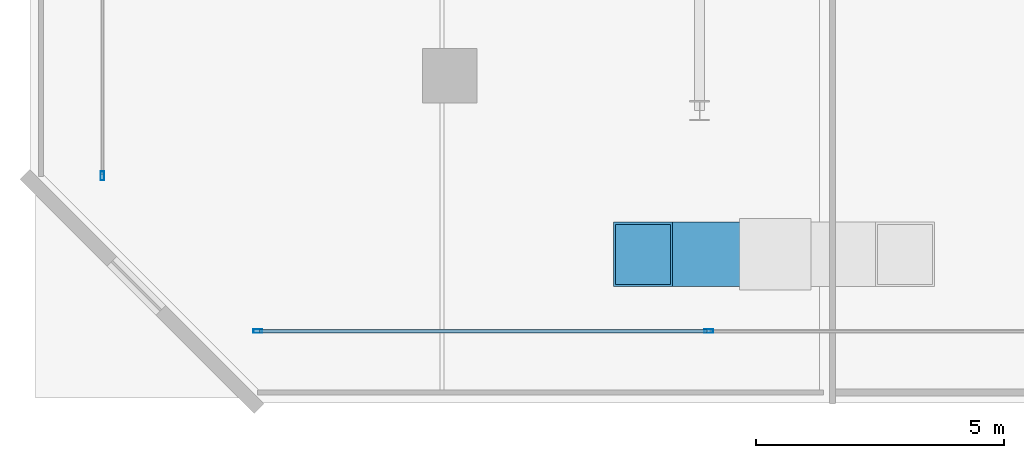
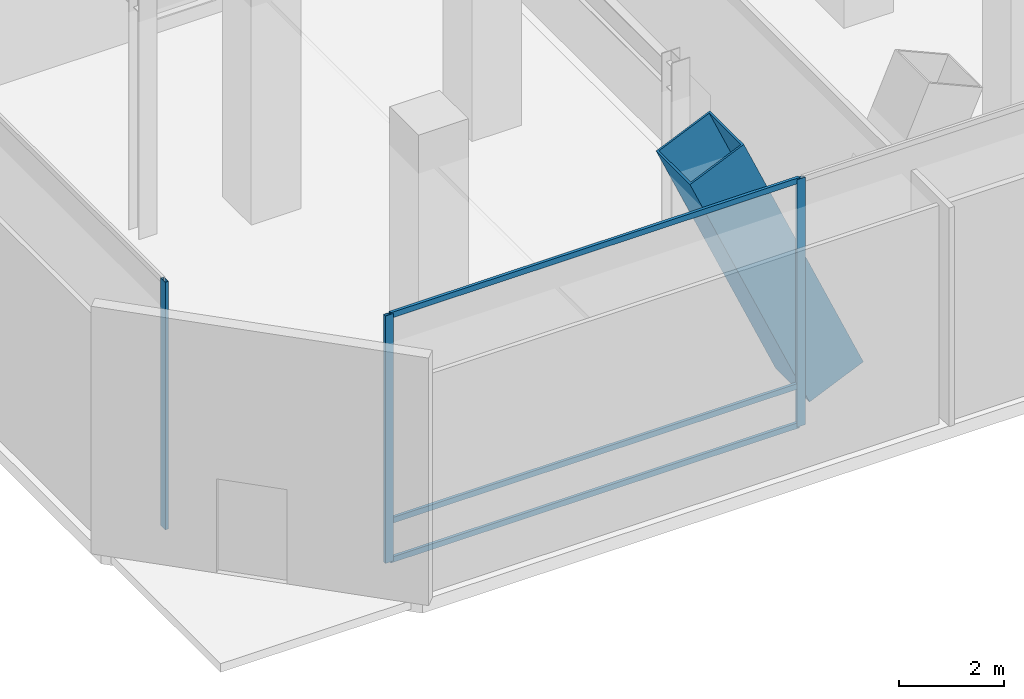
# One storey, part 5 of 40: 7 members, 2 elements without a shape of their own.
"""IFC4 building model written with IfcOpenShell, lengths in metres."""

from ifc_helpers import new_model, si_unit, direction, frame, origin, origin_2d, place, context, subcontext, project, spatial, hollow_rectangle, extrude, material, layer, layer_set, material_profile, profile_set, type_object, element, aggregate, save


model = new_model("IFC4")

# Units and contexts
model_context = context("Model", 3, precision=1e-05, world=origin(), true_north=direction((0.0, 1.0)))
body_context = subcontext(model_context, "Body", "Model", "MODEL_VIEW")
ifc_project = project(units=[si_unit("LENGTHUNIT", "METRE"), si_unit("AREAUNIT", "SQUARE_METRE"), si_unit("VOLUMEUNIT", "CUBIC_METRE"), si_unit("PLANEANGLEUNIT", "RADIAN"), si_unit("MASSUNIT", "GRAM", prefix="KILO")], contexts=[model_context])

# Site, building, storey
site_placement = place(None, origin())
site = spatial("IfcSite", under=ifc_project, at=site_placement, CompositionType="ELEMENT")
building_placement = place(site_placement, origin())
building = spatial("IfcBuilding", under=site, at=building_placement, Name="Qianvela Tower", CompositionType="ELEMENT")
storey_placement = place(building_placement, origin())
storey = spatial("IfcBuildingStorey", under=building, at=storey_placement, Name="L00", CompositionType="ELEMENT", Elevation=0.0)

# Curtain wall, members
ifc_material_1 = material(Name="Anodised Architectural Aluminium and Low-E Glass", Category="aluminium")
ifc_layer = layer(ifc_material_1, 0.199951171875)
ifc_layer_set = layer_set([ifc_layer], Name="Anodised Architectural Aluminium and Low-E Glass")
curtain_wall_type = type_object("IfcCurtainWallType", Name="CW-CONCOURSE", PredefinedType="USERDEFINED", material=ifc_layer_set)
curtain_wall_1_placement = place(storey_placement, origin())
curtain_wall_1 = element("IfcCurtainWall", 1, at=curtain_wall_1_placement, inside=storey, type_object=curtain_wall_type, Name="L00 CW-CONCOURSE Curtain Wall 01A", ObjectType="CURTAIN_WALL_SYSTEM", PredefinedType="USERDEFINED")
ifc_material_2 = material(Name="Anodised Architectural Aluminium 6063-T6", Category="aluminium")
ifc_material_profile_1 = material_profile(ifc_material_2, hollow_rectangle(XDim=0.070068359375, YDim=0.179931640625, WallThickness=0.0048828125, at=origin_2d()), Name="ALU-MULL-70x180")
ifc_profile_set_1 = profile_set([ifc_material_profile_1], Name="Anodised Architectural Aluminium 6063-T6")
member_type_1 = type_object("IfcMemberType", Name="CW-CONCOURSE-MULL", PredefinedType="MULLION", material=ifc_profile_set_1)
member_1_placement = place(storey_placement, frame((6.0849609375, 2.949951171875, 0.0), z_axis=(0.0, 0.0, 1.0), x_axis=(0.0, 1.0, 0.0)))
member_1 = element("IfcMember", 2, at=member_1_placement, type_object=member_type_1, Name="CW-1 mullion 1", PredefinedType="MULLION", context=body_context, shape_type="SweptSolid", body=[
    extrude(hollow_rectangle(XDim=0.070068359375, YDim=0.179931640625, WallThickness=0.0048828125, at=origin_2d()), origin(), (0.0, 0.0, 1.0), 5.780029296875),
])
member_2_placement = place(storey_placement, frame((15.183349609375, 2.949951171875, 0.0), z_axis=(0.0, 0.0, 1.0), x_axis=(0.0, 1.0, 0.0)))
member_2 = element("IfcMember", 3, at=member_2_placement, type_object=member_type_1, Name="CW-1 mullion 2", PredefinedType="MULLION", context=body_context, shape_type="SweptSolid", body=[
    extrude(hollow_rectangle(XDim=0.070068359375, YDim=0.179931640625, WallThickness=0.0048828125, at=origin_2d()), origin(), (0.0, 0.0, 1.0), 5.780029296875),
])

# Curtain wall, member
curtain_wall_2_placement = place(storey_placement, origin())
curtain_wall_2 = element("IfcCurtainWall", 4, at=curtain_wall_2_placement, inside=storey, type_object=curtain_wall_type, Name="L00 CW-CONCOURSE Curtain Wall 07B", ObjectType="CURTAIN_WALL_SYSTEM", PredefinedType="USERDEFINED")
member_3_placement = place(storey_placement, frame((2.949951171875, 6.0849609375, 0.0), z_axis=(0.0, 0.0, 1.0), x_axis=(1.0, 0.0, 0.0)))
member_3 = element("IfcMember", 5, at=member_3_placement, type_object=member_type_1, Name="CW-1 mullion 3", PredefinedType="MULLION", context=body_context, shape_type="SweptSolid", body=[
    extrude(hollow_rectangle(XDim=0.070068359375, YDim=0.179931640625, WallThickness=0.0048828125, at=origin_2d()), origin(), (0.0, 0.0, 1.0), 5.780029296875),
])
aggregate(curtain_wall_2, [member_3])

# Member
ifc_material_3 = material(Name="Anodised Architectural Aluminium 6063-T6", Category="aluminium")
ifc_material_profile_2 = material_profile(ifc_material_3, hollow_rectangle(XDim=0.06494140625, YDim=0.1298828125, WallThickness=0.00439453125, at=origin_2d()), Name="ALU-TRAN-65x130")
ifc_profile_set_2 = profile_set([ifc_material_profile_2], Name="Anodised Architectural Aluminium 6063-T6")
member_type_2 = type_object("IfcMemberType", Name="CW-CONCOURSE-TRAN", PredefinedType="USERDEFINED", material=ifc_profile_set_2)
member_4_placement = place(storey_placement, frame((6.1201171875, 2.949951171875, 0.032470703125), z_axis=(1.0, 0.0, 0.0), x_axis=(0.0, 1.0, 0.0)))
member_4 = element("IfcMember", 6, at=member_4_placement, type_object=member_type_2, Name="CW-1 transom 1.1", ObjectType="TRANSOM", PredefinedType="USERDEFINED", context=body_context, shape_type="SweptSolid", body=[
    extrude(hollow_rectangle(XDim=0.06494140625, YDim=0.1298828125, WallThickness=0.00439453125, at=origin_2d()), origin(), (0.0, 0.0, 1.0), 9.0283203125),
])

member_5_placement = place(storey_placement, frame((6.1201171875, 2.949951171875, 0.949951171875), z_axis=(1.0, 0.0, 0.0), x_axis=(0.0, 1.0, 0.0)))
member_5 = element("IfcMember", 7, at=member_5_placement, type_object=member_type_2, Name="CW-1 transom 1.2", ObjectType="TRANSOM", PredefinedType="USERDEFINED", context=body_context, shape_type="SweptSolid", body=[
    extrude(hollow_rectangle(XDim=0.06494140625, YDim=0.1298828125, WallThickness=0.00439453125, at=origin_2d()), origin(), (0.0, 0.0, 1.0), 9.0283203125),
])

member_6_placement = place(storey_placement, frame((6.1201171875, 2.949951171875, 5.74755859375), z_axis=(1.0, 0.0, 0.0), x_axis=(0.0, 1.0, 0.0)))
member_6 = element("IfcMember", 8, at=member_6_placement, type_object=member_type_2, Name="CW-1 transom 1.3", ObjectType="TRANSOM", PredefinedType="USERDEFINED", context=body_context, shape_type="SweptSolid", body=[
    extrude(hollow_rectangle(XDim=0.06494140625, YDim=0.1298828125, WallThickness=0.00439453125, at=origin_2d()), origin(), (0.0, 0.0, 1.0), 9.0283203125),
])

aggregate(curtain_wall_1, [member_1, member_2, member_4, member_5, member_6])

ifc_material_4 = material(Name="Steel Q420GJC", Category="steel")
ifc_material_profile_3 = material_profile(ifc_material_4, hollow_rectangle(XDim=1.300048828125, YDim=1.300048828125, WallThickness=0.044921875, at=origin_2d()), Name="VBOX-1300x1300x45")
ifc_profile_set_3 = profile_set([ifc_material_profile_3], Name="Steel Q420GJC")
member_type_3 = type_object("IfcMemberType", Name="MBR-VCOL-1300", PredefinedType="POST", material=ifc_profile_set_3)
member_7_placement = place(storey_placement, frame((16.5, 4.5, 0.0), z_axis=(-0.402662474024, 0.0, 0.91534853035), x_axis=(0.0, -1.0, 0.0)))
element("IfcMember", 9, at=member_7_placement, inside=storey, type_object=member_type_3, Name="L00 Concourse Inclined V-Column VC-S1 Leg L", PredefinedType="POST", context=body_context, shape_type="SweptSolid", body=[
    extrude(hollow_rectangle(XDim=1.300048828125, YDim=1.300048828125, WallThickness=0.044921875, at=origin_2d()), origin(), (0.0, 0.0, 1.0), 6.554931640625),
])

save(model, "model.ifc")
